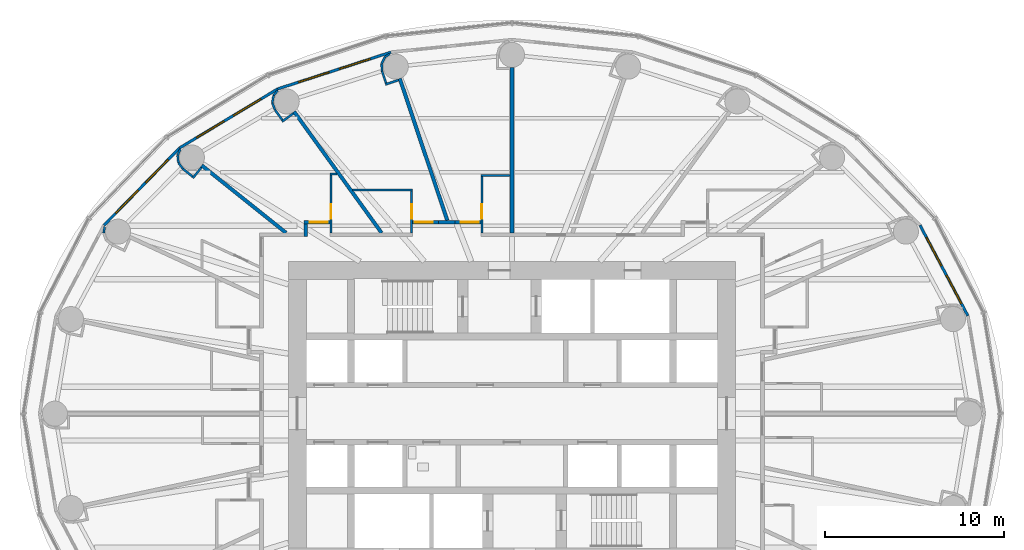
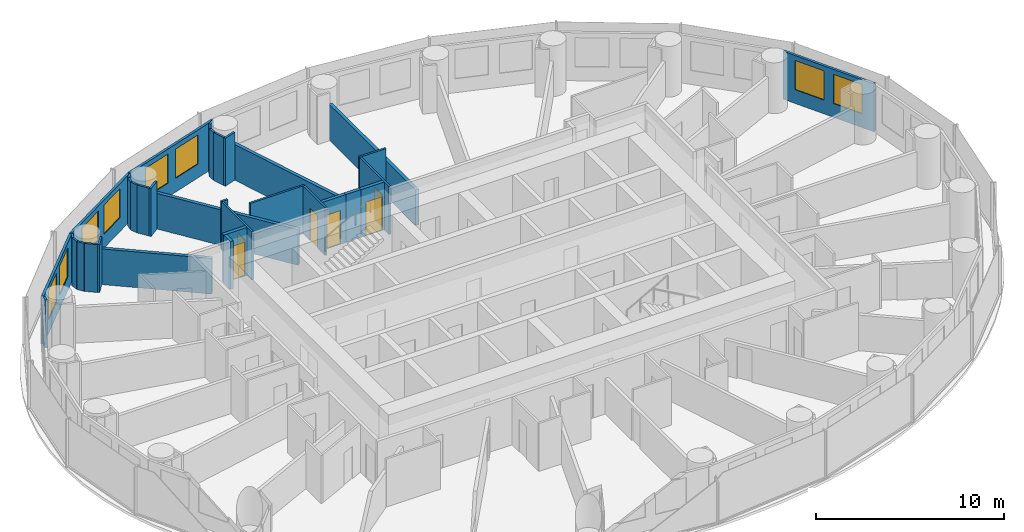
# One storey, part 12 of 16: 35 walls, 8 windows, 6 doors, 14 openings.
"""IFC4 building model written with IfcOpenShell, lengths in metres."""

from ifc_helpers import new_model, si_unit, direction, frame, frame_2d, origin, place, context, subcontext, project, spatial, rectangle, extrude, material, layer, layer_set, type_object, element, fill, save


model = new_model("IFC4")

# Units and contexts
model_context = context("Model", 3, precision=1e-05, world=origin(), true_north=direction((0.0, 1.0)))
body_context = subcontext(model_context, "Body", "Model", "MODEL_VIEW")
ifc_project = project(units=[si_unit("LENGTHUNIT", "METRE"), si_unit("AREAUNIT", "SQUARE_METRE"), si_unit("VOLUMEUNIT", "CUBIC_METRE"), si_unit("PLANEANGLEUNIT", "RADIAN"), si_unit("MASSUNIT", "GRAM", prefix="KILO")], contexts=[model_context])

# Site, building, storey
site_placement = place(None, origin())
site = spatial("IfcSite", under=ifc_project, at=site_placement, CompositionType="ELEMENT")
building_placement = place(site_placement, origin())
building = spatial("IfcBuilding", under=site, at=building_placement, Name="Hankou Lantern Tower", CompositionType="ELEMENT")
storey_placement = place(building_placement, frame((0.0, 0.0, 77.10009765625)))
storey = spatial("IfcBuildingStorey", under=building, at=storey_placement, Name="L19", CompositionType="ELEMENT", Elevation=77.10009765625)

# Wall, openings, windows
ifc_material_1 = material(Name="Aluminium spandrel panel on steel studs", Category="steel")
ifc_layer_1 = layer(ifc_material_1, 0.14990234375)
ifc_layer_set_1 = layer_set([ifc_layer_1], Name="Aluminium spandrel panel on steel studs")
wall_type_1 = type_object("IfcWallType", Name="EW1 INNER SKIN WALL 150", PredefinedType="ELEMENTEDWALL", material=ifc_layer_set_1)
wall_1_placement = place(storey_placement, frame((25.482421875, 5.46240234375, 0.0), z_axis=(0.0, 0.0, 1.0), x_axis=(-0.467296867008, 0.884100468321, 0.0)))
wall_1 = element("IfcWall", 1, at=wall_1_placement, inside=storey, type_object=wall_type_1, Name="Inner skin R02-R03 L19", PredefinedType="ELEMENTEDWALL", context=body_context, shape_type="SweptSolid", body=[
    extrude(rectangle(XDim=5.734375, YDim=0.14990234375, at=frame_2d((2.8671875, 0.0))), origin(), (0.0, 0.0, 1.0), 3.119873046875),
])
opening_1_placement = place(wall_1_placement, frame((0.76708984375, 0.0, 0.89990234375)))
opening_1 = element("IfcOpeningElement", 2, at=opening_1_placement, cuts=wall_1, Name="Opening W1", PredefinedType="OPENING", context=body_context, shape_type="SweptSolid", body=[
    extrude(rectangle(XDim=1.800048828125, YDim=1.89990234375, at=frame_2d((0.89990234375, 0.949951171875))), frame((0.0, 0.0849609375, 0.0), z_axis=(0.0, -1.0, 0.0), x_axis=(1.0, 0.0, 0.0)), (0.0, 0.0, 1.0), 0.169921875),
])
opening_2_placement = place(wall_1_placement, frame((3.167236328125, 0.0, 0.89990234375)))
opening_2 = element("IfcOpeningElement", 3, at=opening_2_placement, cuts=wall_1, Name="Opening W1", PredefinedType="OPENING", context=body_context, shape_type="SweptSolid", body=[
    extrude(rectangle(XDim=1.800048828125, YDim=1.89990234375, at=frame_2d((0.89990234375, 0.949951171875))), frame((0.0, 0.0849609375, 0.0), z_axis=(0.0, -1.0, 0.0), x_axis=(1.0, 0.0, 0.0)), (0.0, 0.0, 1.0), 0.169921875),
])
ifc_material_2 = material(Name="Aluminium framed double glazed window", Category="aluminium")
window_type = type_object("IfcWindowType", Name="W1 GUEST ROOM WINDOW 1800X1900", PartitioningType="DOUBLE_PANEL_VERTICAL", PredefinedType="WINDOW", material=ifc_material_2)
window_1_placement = place(opening_1_placement, origin())
window_1 = element("IfcWindow", 4, at=window_1_placement, inside=storey, type_object=window_type, Name="Window R02.1 L19", OverallHeight=1.89990234375, OverallWidth=1.800048828125, PartitioningType="SINGLE_PANEL", PredefinedType="WINDOW", context=body_context, shape_type="SweptSolid", body=[
    extrude(rectangle(XDim=1.800048828125, YDim=1.89990234375, at=frame_2d((0.89990234375, 0.949951171875))), frame((0.0, 0.030029296875, 0.0), z_axis=(0.0, -1.0, 0.0), x_axis=(1.0, 0.0, 0.0)), (0.0, 0.0, 1.0), 0.06005859375),
])
fill(opening_1, window_1)
window_2_placement = place(opening_2_placement, origin())
window_2 = element("IfcWindow", 5, at=window_2_placement, inside=storey, type_object=window_type, Name="Window R02.2 L19", OverallHeight=1.89990234375, OverallWidth=1.800048828125, PartitioningType="SINGLE_PANEL", PredefinedType="WINDOW", context=body_context, shape_type="SweptSolid", body=[
    extrude(rectangle(XDim=1.800048828125, YDim=1.89990234375, at=frame_2d((0.89990234375, 0.949951171875))), frame((0.0, 0.030029296875, 0.0), z_axis=(0.0, -1.0, 0.0), x_axis=(1.0, 0.0, 0.0)), (0.0, 0.0, 1.0), 0.06005859375),
])
fill(opening_2, window_2)

wall_2_placement = place(storey_placement, frame((-6.766357421875, 20.201904296875, 0.0), z_axis=(0.0, 0.0, 1.0), x_axis=(-0.951137534625, -0.308767534285, 0.0)))
wall_2 = element("IfcWall", 6, at=wall_2_placement, inside=storey, type_object=wall_type_1, Name="Inner skin R08-R09 L19", PredefinedType="ELEMENTEDWALL", context=body_context, shape_type="SweptSolid", body=[
    extrude(rectangle(XDim=6.6552734375, YDim=0.14990234375, at=frame_2d((3.32763671875, 0.0))), origin(), (0.0, 0.0, 1.0), 3.119873046875),
])
opening_3_placement = place(wall_2_placement, frame((1.2275390625, 0.0, 0.89990234375)))
opening_3 = element("IfcOpeningElement", 7, at=opening_3_placement, cuts=wall_2, Name="Opening W1", PredefinedType="OPENING", context=body_context, shape_type="SweptSolid", body=[
    extrude(rectangle(XDim=1.800048828125, YDim=1.89990234375, at=frame_2d((0.89990234375, 0.949951171875))), frame((0.0, 0.0849609375, 0.0), z_axis=(0.0, -1.0, 0.0), x_axis=(1.0, 0.0, 0.0)), (0.0, 0.0, 1.0), 0.169921875),
])
opening_4_placement = place(wall_2_placement, frame((3.627685546875, 0.0, 0.89990234375)))
opening_4 = element("IfcOpeningElement", 8, at=opening_4_placement, cuts=wall_2, Name="Opening W1", PredefinedType="OPENING", context=body_context, shape_type="SweptSolid", body=[
    extrude(rectangle(XDim=1.800048828125, YDim=1.89990234375, at=frame_2d((0.89990234375, 0.949951171875))), frame((0.0, 0.0849609375, 0.0), z_axis=(0.0, -1.0, 0.0), x_axis=(1.0, 0.0, 0.0)), (0.0, 0.0, 1.0), 0.169921875),
])
window_3_placement = place(opening_3_placement, origin())
window_3 = element("IfcWindow", 9, at=window_3_placement, inside=storey, type_object=window_type, Name="Window R08.1 L19", OverallHeight=1.89990234375, OverallWidth=1.800048828125, PartitioningType="SINGLE_PANEL", PredefinedType="WINDOW", context=body_context, shape_type="SweptSolid", body=[
    extrude(rectangle(XDim=1.800048828125, YDim=1.89990234375, at=frame_2d((0.89990234375, 0.949951171875))), frame((0.0, 0.030029296875, 0.0), z_axis=(0.0, -1.0, 0.0), x_axis=(1.0, 0.0, 0.0)), (0.0, 0.0, 1.0), 0.06005859375),
])
fill(opening_3, window_3)
window_4_placement = place(opening_4_placement, origin())
window_4 = element("IfcWindow", 10, at=window_4_placement, inside=storey, type_object=window_type, Name="Window R08.2 L19", OverallHeight=1.89990234375, OverallWidth=1.800048828125, PartitioningType="SINGLE_PANEL", PredefinedType="WINDOW", context=body_context, shape_type="SweptSolid", body=[
    extrude(rectangle(XDim=1.800048828125, YDim=1.89990234375, at=frame_2d((0.89990234375, 0.949951171875))), frame((0.0, 0.030029296875, 0.0), z_axis=(0.0, -1.0, 0.0), x_axis=(1.0, 0.0, 0.0)), (0.0, 0.0, 1.0), 0.06005859375),
])
fill(opening_4, window_4)

wall_3_placement = place(storey_placement, frame((-13.096435546875, 18.14697265625, 0.0), z_axis=(0.0, 0.0, 1.0), x_axis=(-0.856983180864, -0.515344377787, 0.0)))
wall_3 = element("IfcWall", 11, at=wall_3_placement, inside=storey, type_object=wall_type_1, Name="Inner skin R09-R10 L19", PredefinedType="ELEMENTEDWALL", context=body_context, shape_type="SweptSolid", body=[
    extrude(rectangle(XDim=6.386474609375, YDim=0.14990234375, at=frame_2d((3.193359375, 0.0))), origin(), (0.0, 0.0, 1.0), 3.119873046875),
])
opening_5_placement = place(wall_3_placement, frame((1.09326171875, 0.0, 0.89990234375)))
opening_5 = element("IfcOpeningElement", 12, at=opening_5_placement, cuts=wall_3, Name="Opening W1", PredefinedType="OPENING", context=body_context, shape_type="SweptSolid", body=[
    extrude(rectangle(XDim=1.800048828125, YDim=1.89990234375, at=frame_2d((0.89990234375, 0.949951171875))), frame((0.0, 0.0849609375, 0.0), z_axis=(0.0, -1.0, 0.0), x_axis=(1.0, 0.0, 0.0)), (0.0, 0.0, 1.0), 0.169921875),
])
opening_6_placement = place(wall_3_placement, frame((3.4931640625, 0.0, 0.89990234375)))
opening_6 = element("IfcOpeningElement", 13, at=opening_6_placement, cuts=wall_3, Name="Opening W1", PredefinedType="OPENING", context=body_context, shape_type="SweptSolid", body=[
    extrude(rectangle(XDim=1.800048828125, YDim=1.89990234375, at=frame_2d((0.89990234375, 0.949951171875))), frame((0.0, 0.0849609375, 0.0), z_axis=(0.0, -1.0, 0.0), x_axis=(1.0, 0.0, 0.0)), (0.0, 0.0, 1.0), 0.169921875),
])
window_5_placement = place(opening_5_placement, origin())
window_5 = element("IfcWindow", 14, at=window_5_placement, inside=storey, type_object=window_type, Name="Window R09.1 L19", OverallHeight=1.89990234375, OverallWidth=1.800048828125, PartitioningType="SINGLE_PANEL", PredefinedType="WINDOW", context=body_context, shape_type="SweptSolid", body=[
    extrude(rectangle(XDim=1.800048828125, YDim=1.89990234375, at=frame_2d((0.89990234375, 0.949951171875))), frame((0.0, 0.030029296875, 0.0), z_axis=(0.0, -1.0, 0.0), x_axis=(1.0, 0.0, 0.0)), (0.0, 0.0, 1.0), 0.06005859375),
])
fill(opening_5, window_5)
window_6_placement = place(opening_6_placement, origin())
window_6 = element("IfcWindow", 15, at=window_6_placement, inside=storey, type_object=window_type, Name="Window R09.2 L19", OverallHeight=1.89990234375, OverallWidth=1.800048828125, PartitioningType="SINGLE_PANEL", PredefinedType="WINDOW", context=body_context, shape_type="SweptSolid", body=[
    extrude(rectangle(XDim=1.800048828125, YDim=1.89990234375, at=frame_2d((0.89990234375, 0.949951171875))), frame((0.0, 0.030029296875, 0.0), z_axis=(0.0, -1.0, 0.0), x_axis=(1.0, 0.0, 0.0)), (0.0, 0.0, 1.0), 0.06005859375),
])
fill(opening_6, window_6)

wall_4_placement = place(storey_placement, frame((-18.569580078125, 14.855712890625, 0.0), z_axis=(0.0, 0.0, 1.0), x_axis=(-0.699602905915, -0.714531856557, 0.0)))
wall_4 = element("IfcWall", 16, at=wall_4_placement, inside=storey, type_object=wall_type_1, Name="Inner skin R10-R11 L19", PredefinedType="ELEMENTEDWALL", context=body_context, shape_type="SweptSolid", body=[
    extrude(rectangle(XDim=6.05078125, YDim=0.14990234375, at=frame_2d((3.025390625, 0.0))), origin(), (0.0, 0.0, 1.0), 3.119873046875),
])
opening_7_placement = place(wall_4_placement, frame((0.925537109375, 0.0, 0.89990234375)))
opening_7 = element("IfcOpeningElement", 17, at=opening_7_placement, cuts=wall_4, Name="Opening W1", PredefinedType="OPENING", context=body_context, shape_type="SweptSolid", body=[
    extrude(rectangle(XDim=1.800048828125, YDim=1.89990234375, at=frame_2d((0.89990234375, 0.949951171875))), frame((0.0, 0.0849609375, 0.0), z_axis=(0.0, -1.0, 0.0), x_axis=(1.0, 0.0, 0.0)), (0.0, 0.0, 1.0), 0.169921875),
])
opening_8_placement = place(wall_4_placement, frame((3.325439453125, 0.0, 0.89990234375)))
opening_8 = element("IfcOpeningElement", 18, at=opening_8_placement, cuts=wall_4, Name="Opening W1", PredefinedType="OPENING", context=body_context, shape_type="SweptSolid", body=[
    extrude(rectangle(XDim=1.800048828125, YDim=1.89990234375, at=frame_2d((0.89990234375, 0.949951171875))), frame((0.0, 0.0849609375, 0.0), z_axis=(0.0, -1.0, 0.0), x_axis=(1.0, 0.0, 0.0)), (0.0, 0.0, 1.0), 0.169921875),
])
window_7_placement = place(opening_7_placement, origin())
window_7 = element("IfcWindow", 19, at=window_7_placement, inside=storey, type_object=window_type, Name="Window R10.1 L19", OverallHeight=1.89990234375, OverallWidth=1.800048828125, PartitioningType="SINGLE_PANEL", PredefinedType="WINDOW", context=body_context, shape_type="SweptSolid", body=[
    extrude(rectangle(XDim=1.800048828125, YDim=1.89990234375, at=frame_2d((0.89990234375, 0.949951171875))), frame((0.0, 0.030029296875, 0.0), z_axis=(0.0, -1.0, 0.0), x_axis=(1.0, 0.0, 0.0)), (0.0, 0.0, 1.0), 0.06005859375),
])
fill(opening_7, window_7)
window_8_placement = place(opening_8_placement, origin())
window_8 = element("IfcWindow", 20, at=window_8_placement, inside=storey, type_object=window_type, Name="Window R10.2 L19", OverallHeight=1.89990234375, OverallWidth=1.800048828125, PartitioningType="SINGLE_PANEL", PredefinedType="WINDOW", context=body_context, shape_type="SweptSolid", body=[
    extrude(rectangle(XDim=1.800048828125, YDim=1.89990234375, at=frame_2d((0.89990234375, 0.949951171875))), frame((0.0, 0.030029296875, 0.0), z_axis=(0.0, -1.0, 0.0), x_axis=(1.0, 0.0, 0.0)), (0.0, 0.0, 1.0), 0.06005859375),
])
fill(opening_8, window_8)

# Walls
ifc_material_3 = material(Name="Masonry lightweight concrete block", Category="masonry")
ifc_layer_2 = layer(ifc_material_3, 0.199951171875)
ifc_layer_set_2 = layer_set([ifc_layer_2], Name="Masonry lightweight concrete block")
wall_type_2 = type_object("IfcWallType", Name="IW1 GUEST ROOM PARTY WALL 200", PredefinedType="PARTITIONING", material=ifc_layer_set_2)
wall_5_placement = place(storey_placement, frame((-3.617431640625, 10.800048828125, 0.0), z_axis=(0.0, 0.0, 1.0), x_axis=(-0.317576599239, 0.948232621046, 0.0)))
element("IfcWall", 21, at=wall_5_placement, inside=storey, type_object=wall_type_2, Name="Party wall R08", PredefinedType="PARTITIONING", context=body_context, shape_type="SweptSolid", body=[
    extrude(rectangle(XDim=8.3603515625, YDim=0.199951171875, at=frame_2d((4.18017578125, 0.0))), origin(), (0.0, 0.0, 1.0), 2.31982421875),
])
wall_6_placement = place(storey_placement, frame((-7.2890625, 10.10009765625, 0.0), z_axis=(0.0, 0.0, 1.0), x_axis=(-0.585198353053, 0.810890182197, 0.0)))
element("IfcWall", 22, at=wall_6_placement, inside=storey, type_object=wall_type_2, Name="Party wall R09", PredefinedType="PARTITIONING", context=body_context, shape_type="SweptSolid", body=[
    extrude(rectangle(XDim=8.359619140625, YDim=0.199951171875, at=frame_2d((4.1796875, 0.0))), origin(), (0.0, 0.0, 1.0), 2.31982421875),
])
wall_7_placement = place(storey_placement, frame((-12.625, 10.10009765625, 0.0), z_axis=(0.0, 0.0, 1.0), x_axis=(-0.780892451574, 0.624665493744, 0.0)))
element("IfcWall", 23, at=wall_7_placement, inside=storey, type_object=wall_type_2, Name="Party wall R10", PredefinedType="PARTITIONING", context=body_context, shape_type="SweptSolid", body=[
    extrude(rectangle(XDim=6.044677734375, YDim=0.199951171875, at=frame_2d((3.0224609375, 0.0))), origin(), (0.0, 0.0, 1.0), 2.31982421875),
])

# Wall, opening, door
ifc_material_4 = material(Name="Masonry lightweight concrete block", Category="masonry")
ifc_layer_3 = layer(ifc_material_4, 0.199951171875)
ifc_layer_set_3 = layer_set([ifc_layer_3], Name="Masonry lightweight concrete block")
wall_type_3 = type_object("IfcWallType", Name="IW2 CORRIDOR WALL 200", PredefinedType="PARTITIONING", material=ifc_layer_set_3)
wall_8_placement = place(storey_placement, frame((-3.179931640625, 10.699951171875, 0.0), z_axis=(0.0, 0.0, 1.0), x_axis=(1.0, 0.0, 0.0)))
wall_8 = element("IfcWall", 24, at=wall_8_placement, inside=storey, type_object=wall_type_3, Name="Corridor recess wall 1912 back", PredefinedType="PARTITIONING", context=body_context, shape_type="SweptSolid", body=[
    extrude(rectangle(XDim=1.43994140625, YDim=0.199951171875, at=frame_2d((0.719970703125, 0.0))), origin(), (0.0, 0.0, 1.0), 3.119873046875),
])
opening_9_placement = place(wall_8_placement, frame((0.320068359375, 0.0, 0.0)))
opening_9 = element("IfcOpeningElement", 25, at=opening_9_placement, cuts=wall_8, Name="Opening D1", PredefinedType="OPENING", context=body_context, shape_type="SweptSolid", body=[
    extrude(rectangle(XDim=1.0, YDim=2.199951171875, at=frame_2d((0.5, 1.10009765625))), frame((0.0, 0.10986328125, 0.0), z_axis=(0.0, -1.0, 0.0), x_axis=(1.0, 0.0, 0.0)), (0.0, 0.0, 1.0), 0.219970703125),
])
ifc_material_5 = material(Name="Steel door leaf", Category="steel")
door_type_1 = type_object("IfcDoorType", Name="D1 GUEST ROOM DOOR 1000X2200", OperationType="SINGLE_SWING_LEFT", PredefinedType="DOOR", material=ifc_material_5)
door_1_placement = place(opening_9_placement, origin())
door_1 = element("IfcDoor", 26, at=door_1_placement, inside=storey, type_object=door_type_1, Name="Guest room door 1912", OperationType="SINGLE_SWING_RIGHT", OverallHeight=2.199951171875, OverallWidth=1.0, PredefinedType="DOOR", context=body_context, shape_type="SweptSolid", body=[
    extrude(rectangle(XDim=1.0, YDim=2.199951171875, at=frame_2d((0.5, 1.10009765625))), frame((0.0, 0.02490234375, 0.0), z_axis=(0.0, -1.0, 0.0), x_axis=(1.0, 0.0, 0.0)), (0.0, 0.0, 1.0), 0.050048828125),
])
fill(opening_9, door_1)

wall_9_placement = place(storey_placement, frame((-5.549072265625, 10.699951171875, 0.0), z_axis=(0.0, 0.0, 1.0), x_axis=(1.0, 0.0, 0.0)))
wall_9 = element("IfcWall", 27, at=wall_9_placement, inside=storey, type_object=wall_type_3, Name="Corridor recess wall 1913 back", PredefinedType="PARTITIONING", context=body_context, shape_type="SweptSolid", body=[
    extrude(rectangle(XDim=1.43994140625, YDim=0.199951171875, at=frame_2d((0.719970703125, 0.0))), origin(), (0.0, 0.0, 1.0), 3.119873046875),
])
opening_10_placement = place(wall_9_placement, frame((0.1201171875, 0.0, 0.0)))
opening_10 = element("IfcOpeningElement", 28, at=opening_10_placement, cuts=wall_9, Name="Opening D1", PredefinedType="OPENING", context=body_context, shape_type="SweptSolid", body=[
    extrude(rectangle(XDim=1.0, YDim=2.199951171875, at=frame_2d((0.5, 1.10009765625))), frame((0.0, 0.10986328125, 0.0), z_axis=(0.0, -1.0, 0.0), x_axis=(1.0, 0.0, 0.0)), (0.0, 0.0, 1.0), 0.219970703125),
])
door_2_placement = place(opening_10_placement, origin())
door_2 = element("IfcDoor", 29, at=door_2_placement, inside=storey, type_object=door_type_1, Name="Guest room door 1913", OperationType="SINGLE_SWING_LEFT", OverallHeight=2.199951171875, OverallWidth=1.0, PredefinedType="DOOR", context=body_context, shape_type="SweptSolid", body=[
    extrude(rectangle(XDim=1.0, YDim=2.199951171875, at=frame_2d((0.5, 1.10009765625))), frame((0.0, 0.02490234375, 0.0), z_axis=(0.0, -1.0, 0.0), x_axis=(1.0, 0.0, 0.0)), (0.0, 0.0, 1.0), 0.050048828125),
])
fill(opening_10, door_2)

wall_10_placement = place(storey_placement, frame((-11.619140625, 10.699951171875, 0.0), z_axis=(0.0, 0.0, 1.0), x_axis=(1.0, 0.0, 0.0)))
wall_10 = element("IfcWall", 30, at=wall_10_placement, inside=storey, type_object=wall_type_3, Name="Corridor recess wall 1914 back", PredefinedType="PARTITIONING", context=body_context, shape_type="SweptSolid", body=[
    extrude(rectangle(XDim=1.440185546875, YDim=0.199951171875, at=frame_2d((0.72021484375, 0.0))), origin(), (0.0, 0.0, 1.0), 3.119873046875),
])
opening_11_placement = place(wall_10_placement, frame((0.320068359375, 0.0, 0.0)))
opening_11 = element("IfcOpeningElement", 31, at=opening_11_placement, cuts=wall_10, Name="Opening D1", PredefinedType="OPENING", context=body_context, shape_type="SweptSolid", body=[
    extrude(rectangle(XDim=1.0, YDim=2.199951171875, at=frame_2d((0.5, 1.10009765625))), frame((0.0, 0.10986328125, 0.0), z_axis=(0.0, -1.0, 0.0), x_axis=(1.0, 0.0, 0.0)), (0.0, 0.0, 1.0), 0.219970703125),
])
door_3_placement = place(opening_11_placement, origin())
door_3 = element("IfcDoor", 32, at=door_3_placement, inside=storey, type_object=door_type_1, Name="Guest room door 1914", OperationType="SINGLE_SWING_RIGHT", OverallHeight=2.199951171875, OverallWidth=1.0, PredefinedType="DOOR", context=body_context, shape_type="SweptSolid", body=[
    extrude(rectangle(XDim=1.0, YDim=2.199951171875, at=frame_2d((0.5, 1.10009765625))), frame((0.0, 0.02490234375, 0.0), z_axis=(0.0, -1.0, 0.0), x_axis=(1.0, 0.0, 0.0)), (0.0, 0.0, 1.0), 0.050048828125),
])
fill(opening_11, door_3)

# Walls
wall_11_placement = place(storey_placement, frame((-11.51904296875, 9.89990234375, 0.0), z_axis=(0.0, 0.0, 1.0), x_axis=(0.0, 1.0, 0.0)))
element("IfcWall", 33, at=wall_11_placement, inside=storey, type_object=wall_type_3, Name="Corridor recess wall 1914 side", PredefinedType="PARTITIONING", context=body_context, shape_type="SweptSolid", body=[
    extrude(rectangle(XDim=0.7001953125, YDim=0.199951171875, at=frame_2d((0.35009765625, 0.0))), origin(), (0.0, 0.0, 1.0), 3.119873046875),
])
wall_12_placement = place(storey_placement, frame((-4.109130859375, 10.699951171875, 0.0), z_axis=(0.0, 0.0, 1.0), x_axis=(1.0, 0.0, 0.0)))
element("IfcWall", 34, at=wall_12_placement, inside=storey, type_object=wall_type_3, Name="Corridor recess wall 1913 and 1912 back", PredefinedType="PARTITIONING", context=body_context, shape_type="SweptSolid", body=[
    extrude(rectangle(XDim=0.92919921875, YDim=0.199951171875, at=frame_2d((0.464599609375, 0.0))), origin(), (0.0, 0.0, 1.0), 3.119873046875),
])
ifc_material_6 = material(Name="Masonry lightweight concrete block", Category="masonry")
ifc_layer_4 = layer(ifc_material_6, 0.1201171875)
ifc_layer_set_4 = layer_set([ifc_layer_4], Name="Masonry lightweight concrete block")
wall_type_4 = type_object("IfcWallType", Name="IW3 BATHROOM WALL 120", PredefinedType="PARTITIONING", material=ifc_layer_set_4)
wall_13_placement = place(storey_placement, frame((-0.10009765625, 13.300048828125, 0.0), z_axis=(0.0, 0.0, 1.0), x_axis=(-1.0, 0.0, 0.0)))
element("IfcWall", 35, at=wall_13_placement, inside=storey, type_object=wall_type_4, Name="Box wall 1912 1", PredefinedType="PARTITIONING", context=body_context, shape_type="SweptSolid", body=[
    extrude(rectangle(XDim=1.639892578125, YDim=0.1201171875, at=frame_2d((0.81982421875, 0.0))), origin(), (0.0, 0.0, 1.0), 3.119873046875),
])

# Wall, opening, door
wall_14_placement = place(storey_placement, frame((-1.679931640625, 10.10009765625, 0.0), z_axis=(0.0, 0.0, 1.0), x_axis=(0.0, 1.0, 0.0)))
wall_14 = element("IfcWall", 36, at=wall_14_placement, inside=storey, type_object=wall_type_4, Name="Box wall 1912 1", PredefinedType="PARTITIONING", context=body_context, shape_type="SweptSolid", body=[
    extrude(rectangle(XDim=3.139892578125, YDim=0.1201171875, at=frame_2d((1.56982421875, 0.0))), origin(), (0.0, 0.0, 1.0), 3.119873046875),
])
opening_12_placement = place(wall_14_placement, frame((0.800048828125, 0.0, 0.0)))
opening_12 = element("IfcOpeningElement", 37, at=opening_12_placement, cuts=wall_14, Name="Opening D3", PredefinedType="OPENING", context=body_context, shape_type="SweptSolid", body=[
    extrude(rectangle(XDim=0.800048828125, YDim=2.10009765625, at=frame_2d((0.39990234375, 1.050048828125))), frame((0.0, 0.070068359375, 0.0), z_axis=(0.0, -1.0, 0.0), x_axis=(1.0, 0.0, 0.0)), (0.0, 0.0, 1.0), 0.14013671875),
])
ifc_material_7 = material(Name="Timber door leaf", Category="wood")
door_type_2 = type_object("IfcDoorType", Name="D3 BATHROOM DOOR 800X2100", OperationType="SINGLE_SWING_LEFT", PredefinedType="DOOR", material=ifc_material_7)
door_4_placement = place(opening_12_placement, origin())
door_4 = element("IfcDoor", 38, at=door_4_placement, inside=storey, type_object=door_type_2, Name="En-suite bathroom 1912 door", OperationType="SINGLE_SWING_LEFT", OverallHeight=2.10009765625, OverallWidth=0.800048828125, PredefinedType="DOOR", context=body_context, shape_type="SweptSolid", body=[
    extrude(rectangle(XDim=0.800048828125, YDim=2.10009765625, at=frame_2d((0.39990234375, 1.050048828125))), frame((0.0, 0.02490234375, 0.0), z_axis=(0.0, -1.0, 0.0), x_axis=(1.0, 0.0, 0.0)), (0.0, 0.0, 1.0), 0.050048828125),
])
fill(opening_12, door_4)

# Wall
wall_15_placement = place(storey_placement, frame((-8.921142578125, 12.5, 0.0), z_axis=(0.0, 0.0, 1.0), x_axis=(1.0, 0.0, 0.0)))
element("IfcWall", 39, at=wall_15_placement, inside=storey, type_object=wall_type_4, Name="Box wall 1913 1", PredefinedType="PARTITIONING", context=body_context, shape_type="SweptSolid", body=[
    extrude(rectangle(XDim=3.3720703125, YDim=0.1201171875, at=frame_2d((1.68603515625, 0.0))), origin(), (0.0, 0.0, 1.0), 3.119873046875),
])

# Wall, opening, door
wall_16_placement = place(storey_placement, frame((-5.609130859375, 10.10009765625, 0.0), z_axis=(0.0, 0.0, 1.0), x_axis=(0.0, 1.0, 0.0)))
wall_16 = element("IfcWall", 40, at=wall_16_placement, inside=storey, type_object=wall_type_4, Name="Box wall 1913 1", PredefinedType="PARTITIONING", context=body_context, shape_type="SweptSolid", body=[
    extrude(rectangle(XDim=2.33984375, YDim=0.1201171875, at=frame_2d((1.169921875, 0.0))), origin(), (0.0, 0.0, 1.0), 3.119873046875),
])
opening_13_placement = place(wall_16_placement, frame((0.800048828125, 0.0, 0.0)))
opening_13 = element("IfcOpeningElement", 41, at=opening_13_placement, cuts=wall_16, Name="Opening D3", PredefinedType="OPENING", context=body_context, shape_type="SweptSolid", body=[
    extrude(rectangle(XDim=0.800048828125, YDim=2.10009765625, at=frame_2d((0.39990234375, 1.050048828125))), frame((0.0, 0.070068359375, 0.0), z_axis=(0.0, -1.0, 0.0), x_axis=(1.0, 0.0, 0.0)), (0.0, 0.0, 1.0), 0.14013671875),
])
door_5_placement = place(opening_13_placement, origin())
door_5 = element("IfcDoor", 42, at=door_5_placement, inside=storey, type_object=door_type_2, Name="En-suite bathroom 1913 door", OperationType="SINGLE_SWING_RIGHT", OverallHeight=2.10009765625, OverallWidth=0.800048828125, PredefinedType="DOOR", context=body_context, shape_type="SweptSolid", body=[
    extrude(rectangle(XDim=0.800048828125, YDim=2.10009765625, at=frame_2d((0.39990234375, 1.050048828125))), frame((0.0, 0.02490234375, 0.0), z_axis=(0.0, -1.0, 0.0), x_axis=(1.0, 0.0, 0.0)), (0.0, 0.0, 1.0), 0.050048828125),
])
fill(opening_13, door_5)

# Wall
wall_17_placement = place(storey_placement, frame((-9.7705078125, 13.39990234375, 0.0), z_axis=(0.0, 0.0, 1.0), x_axis=(-1.0, 0.0, 0.0)))
element("IfcWall", 43, at=wall_17_placement, inside=storey, type_object=wall_type_4, Name="Box wall 1914 1", PredefinedType="PARTITIONING", context=body_context, shape_type="SweptSolid", body=[
    extrude(rectangle(XDim=0.408447265625, YDim=0.1201171875, at=frame_2d((0.2041015625, 0.0))), origin(), (0.0, 0.0, 1.0), 3.119873046875),
])

# Wall, opening, door
wall_18_placement = place(storey_placement, frame((-10.119140625, 10.10009765625, 0.0), z_axis=(0.0, 0.0, 1.0), x_axis=(0.0, 1.0, 0.0)))
wall_18 = element("IfcWall", 44, at=wall_18_placement, inside=storey, type_object=wall_type_4, Name="Box wall 1914 1", PredefinedType="PARTITIONING", context=body_context, shape_type="SweptSolid", body=[
    extrude(rectangle(XDim=3.239990234375, YDim=0.1201171875, at=frame_2d((1.6201171875, 0.0))), origin(), (0.0, 0.0, 1.0), 3.119873046875),
])
opening_14_placement = place(wall_18_placement, frame((0.800048828125, 0.0, 0.0)))
opening_14 = element("IfcOpeningElement", 45, at=opening_14_placement, cuts=wall_18, Name="Opening D3", PredefinedType="OPENING", context=body_context, shape_type="SweptSolid", body=[
    extrude(rectangle(XDim=0.800048828125, YDim=2.10009765625, at=frame_2d((0.39990234375, 1.050048828125))), frame((0.0, 0.070068359375, 0.0), z_axis=(0.0, -1.0, 0.0), x_axis=(1.0, 0.0, 0.0)), (0.0, 0.0, 1.0), 0.14013671875),
])
door_6_placement = place(opening_14_placement, origin())
door_6 = element("IfcDoor", 46, at=door_6_placement, inside=storey, type_object=door_type_2, Name="En-suite bathroom 1914 door", OperationType="SINGLE_SWING_LEFT", OverallHeight=2.10009765625, OverallWidth=0.800048828125, PredefinedType="DOOR", context=body_context, shape_type="SweptSolid", body=[
    extrude(rectangle(XDim=0.800048828125, YDim=2.10009765625, at=frame_2d((0.39990234375, 1.050048828125))), frame((0.0, 0.02490234375, 0.0), z_axis=(0.0, -1.0, 0.0), x_axis=(1.0, 0.0, 0.0)), (0.0, 0.0, 1.0), 0.050048828125),
])
fill(opening_14, door_6)

# Walls
ifc_material_8 = material(Name="Masonry lightweight concrete block", Category="masonry")
ifc_layer_5 = layer(ifc_material_8, 0.1201171875)
ifc_layer_set_5 = layer_set([ifc_layer_5], Name="Masonry lightweight concrete block")
wall_type_5 = type_object("IfcWallType", Name="IW4 PARTITION 120", PredefinedType="PARTITIONING", material=ifc_layer_set_5)
wall_19_placement = place(storey_placement, frame((-6.348388671875, 18.638916015625, 0.0), z_axis=(0.0, 0.0, 1.0), x_axis=(-0.948268951266, -0.317468102437, 0.0)))
element("IfcWall", 47, at=wall_19_placement, inside=storey, type_object=wall_type_5, Name="Column casing R08 return", PredefinedType="PARTITIONING", context=body_context, shape_type="SweptSolid", body=[
    extrude(rectangle(XDim=0.767578125, YDim=0.1201171875, at=frame_2d((0.3837890625, 0.0))), origin(), (0.0, 0.0, 1.0), 3.119873046875),
])
wall_20_placement = place(storey_placement, frame((-7.038330078125, 18.47119140625, 0.0), z_axis=(0.0, 0.0, 1.0), x_axis=(-0.317378466199, 0.9482989556, 0.0)))
element("IfcWall", 48, at=wall_20_placement, inside=storey, type_object=wall_type_5, Name="Column casing R08", PredefinedType="PARTITIONING", context=body_context, shape_type="SweptSolid", body=[
    extrude(rectangle(XDim=0.699951171875, YDim=0.1201171875, at=frame_2d((0.35009765625, 0.0))), origin(), (0.0, 0.0, 1.0), 3.119873046875),
])
wall_21_placement = place(storey_placement, frame((-7.260498046875, 19.135009765625, 0.0), z_axis=(0.0, 0.0, 1.0), x_axis=(-0.0613238046, 0.99811792439, 0.0)))
element("IfcWall", 49, at=wall_21_placement, inside=storey, type_object=wall_type_5, Name="Column casing R08", PredefinedType="PARTITIONING", context=body_context, shape_type="SweptSolid", body=[
    extrude(rectangle(XDim=0.41796875, YDim=0.1201171875, at=frame_2d((0.208984375, 0.0))), origin(), (0.0, 0.0, 1.0), 3.119873046875),
])
wall_22_placement = place(storey_placement, frame((-7.2861328125, 19.55224609375, 0.0), z_axis=(0.0, 0.0, 1.0), x_axis=(0.445810757773, 0.89512723579, 0.0)))
element("IfcWall", 50, at=wall_22_placement, inside=storey, type_object=wall_type_5, Name="Column casing R08", PredefinedType="PARTITIONING", context=body_context, shape_type="SweptSolid", body=[
    extrude(rectangle(XDim=0.417724609375, YDim=0.1201171875, at=frame_2d((0.208984375, 0.0))), origin(), (0.0, 0.0, 1.0), 3.119873046875),
])
wall_23_placement = place(storey_placement, frame((-7.099853515625, 19.92626953125, 0.0), z_axis=(0.0, 0.0, 1.0), x_axis=(0.833488262509, 0.552537162787, 0.0)))
element("IfcWall", 51, at=wall_23_placement, inside=storey, type_object=wall_type_5, Name="Column casing R08", PredefinedType="PARTITIONING", context=body_context, shape_type="SweptSolid", body=[
    extrude(rectangle(XDim=0.312744140625, YDim=0.1201171875, at=frame_2d((0.15625, 0.0))), origin(), (0.0, 0.0, 1.0), 3.119873046875),
])
wall_24_placement = place(storey_placement, frame((-12.227294921875, 16.771728515625, 0.0), z_axis=(0.0, 0.0, 1.0), x_axis=(-0.810821798253, -0.585293098778, 0.0)))
element("IfcWall", 52, at=wall_24_placement, inside=storey, type_object=wall_type_5, Name="Column casing R09 return", PredefinedType="PARTITIONING", context=body_context, shape_type="SweptSolid", body=[
    extrude(rectangle(XDim=0.767578125, YDim=0.1201171875, at=frame_2d((0.3837890625, 0.0))), origin(), (0.0, 0.0, 1.0), 3.119873046875),
])
wall_25_placement = place(storey_placement, frame((-12.8359375, 16.40625, 0.0), z_axis=(0.0, 0.0, 1.0), x_axis=(-0.585223113993, 0.810872312296, 0.0)))
element("IfcWall", 53, at=wall_25_placement, inside=storey, type_object=wall_type_5, Name="Column casing R09", PredefinedType="PARTITIONING", context=body_context, shape_type="SweptSolid", body=[
    extrude(rectangle(XDim=0.699951171875, YDim=0.1201171875, at=frame_2d((0.35009765625, 0.0))), origin(), (0.0, 0.0, 1.0), 3.119873046875),
])
wall_26_placement = place(storey_placement, frame((-13.24560546875, 16.973876953125, 0.0), z_axis=(0.0, 0.0, 1.0), x_axis=(-0.355728122235, 0.934589483705, 0.0)))
element("IfcWall", 54, at=wall_26_placement, inside=storey, type_object=wall_type_5, Name="Column casing R09", PredefinedType="PARTITIONING", context=body_context, shape_type="SweptSolid", body=[
    extrude(rectangle(XDim=0.41796875, YDim=0.1201171875, at=frame_2d((0.208984375, 0.0))), origin(), (0.0, 0.0, 1.0), 3.119873046875),
])
wall_27_placement = place(storey_placement, frame((-13.394287109375, 17.364501953125, 0.0), z_axis=(0.0, 0.0, 1.0), x_axis=(0.159379276926, 0.987217425943, 0.0)))
element("IfcWall", 55, at=wall_27_placement, inside=storey, type_object=wall_type_5, Name="Column casing R09", PredefinedType="PARTITIONING", context=body_context, shape_type="SweptSolid", body=[
    extrude(rectangle(XDim=0.418212890625, YDim=0.1201171875, at=frame_2d((0.208984375, 0.0))), origin(), (0.0, 0.0, 1.0), 3.119873046875),
])
wall_28_placement = place(storey_placement, frame((-13.32763671875, 17.77734375, 0.0), z_axis=(0.0, 0.0, 1.0), x_axis=(0.632276783541, 0.774742582407, 0.0)))
element("IfcWall", 56, at=wall_28_placement, inside=storey, type_object=wall_type_5, Name="Column casing R09", PredefinedType="PARTITIONING", context=body_context, shape_type="SweptSolid", body=[
    extrude(rectangle(XDim=0.35986328125, YDim=0.1201171875, at=frame_2d((0.179931640625, 0.0))), origin(), (0.0, 0.0, 1.0), 3.119873046875),
])
wall_29_placement = place(storey_placement, frame((-17.36083984375, 13.760498046875, 0.0), z_axis=(0.0, 0.0, 1.0), x_axis=(-0.624501042889, -0.781023973659, 0.0)))
element("IfcWall", 57, at=wall_29_placement, inside=storey, type_object=wall_type_5, Name="Column casing R10 return", PredefinedType="PARTITIONING", context=body_context, shape_type="SweptSolid", body=[
    extrude(rectangle(XDim=0.767333984375, YDim=0.1201171875, at=frame_2d((0.3837890625, 0.0))), origin(), (0.0, 0.0, 1.0), 3.119873046875),
])
wall_30_placement = place(storey_placement, frame((-17.849609375, 13.24560546875, 0.0), z_axis=(0.0, 0.0, 1.0), x_axis=(-0.780902834923, 0.62465251333, 0.0)))
element("IfcWall", 58, at=wall_30_placement, inside=storey, type_object=wall_type_5, Name="Column casing R10", PredefinedType="PARTITIONING", context=body_context, shape_type="SweptSolid", body=[
    extrude(rectangle(XDim=0.699951171875, YDim=0.1201171875, at=frame_2d((0.35009765625, 0.0))), origin(), (0.0, 0.0, 1.0), 3.119873046875),
])
for number, where, z_axis, x_axis, name in (
    (59, (-18.396240234375, 13.682861328125, 0.0), (0.0, 0.0, 1.0), (-0.592401603461, 0.805642811807, 0.0), "Column casing R10"),
    (60, (-18.643798828125, 14.01953125, 0.0), (0.0, 0.0, 1.0), (-0.110367433259, 0.993890854006, 0.0), "Column casing R10"),
):
    element("IfcWall", number, at=place(storey_placement, frame(where, z_axis=z_axis, x_axis=x_axis)), inside=storey, type_object=wall_type_5, Name=name, PredefinedType="PARTITIONING", context=body_context, shape_type="SweptSolid", body=[
        extrude(rectangle(XDim=0.41796875, YDim=0.1201171875, at=frame_2d((0.208984375, 0.0))), origin(), (0.0, 0.0, 1.0), 3.119873046875),
    ])
wall_31_placement = place(storey_placement, frame((-18.68994140625, 14.43505859375, 0.0), z_axis=(0.0, 0.0, 1.0), x_axis=(0.401093412634, 0.91603715773, 0.0)))
element("IfcWall", 61, at=wall_31_placement, inside=storey, type_object=wall_type_5, Name="Column casing R10", PredefinedType="PARTITIONING", context=body_context, shape_type="SweptSolid", body=[
    extrude(rectangle(XDim=0.373046875, YDim=0.1201171875, at=frame_2d((0.1865234375, 0.0))), origin(), (0.0, 0.0, 1.0), 3.119873046875),
])
wall_32_placement = place(storey_placement, frame((-22.8232421875, 10.096923828125, 0.0), z_axis=(0.0, 0.0, 1.0), x_axis=(0.169674995186, 0.985500074079, 0.0)))
element("IfcWall", 62, at=wall_32_placement, inside=storey, type_object=wall_type_5, Name="Column casing R11", PredefinedType="PARTITIONING", context=body_context, shape_type="SweptSolid", body=[
    extrude(rectangle(XDim=0.3525390625, YDim=0.1201171875, at=frame_2d((0.17626953125, 0.0))), origin(), (0.0, 0.0, 1.0), 3.119873046875),
])
ifc_material_9 = material(Name="Masonry lightweight concrete block", Category="masonry")
ifc_layer_6 = layer(ifc_material_9, 0.199951171875)
ifc_layer_set_6 = layer_set([ifc_layer_6], Name="Masonry lightweight concrete block")
wall_type_6 = type_object("IfcWallType", Name="IW8 PARTITION 200", PredefinedType="PARTITIONING", material=ifc_layer_set_6)
wall_33_placement = place(storey_placement, frame((0.0, 10.10009765625, 0.0), z_axis=(0.0, 0.0, 1.0), x_axis=(0.0, 1.0, 0.0)))
element("IfcWall", 63, at=wall_33_placement, inside=storey, type_object=wall_type_6, Name="Partition R07", PredefinedType="PARTITIONING", context=body_context, shape_type="SweptSolid", body=[
    extrude(rectangle(XDim=9.25, YDim=0.199951171875, at=frame_2d((4.625, 0.0))), origin(), (0.0, 0.0, 1.0), 2.31982421875),
])

save(model, "model.ifc")
